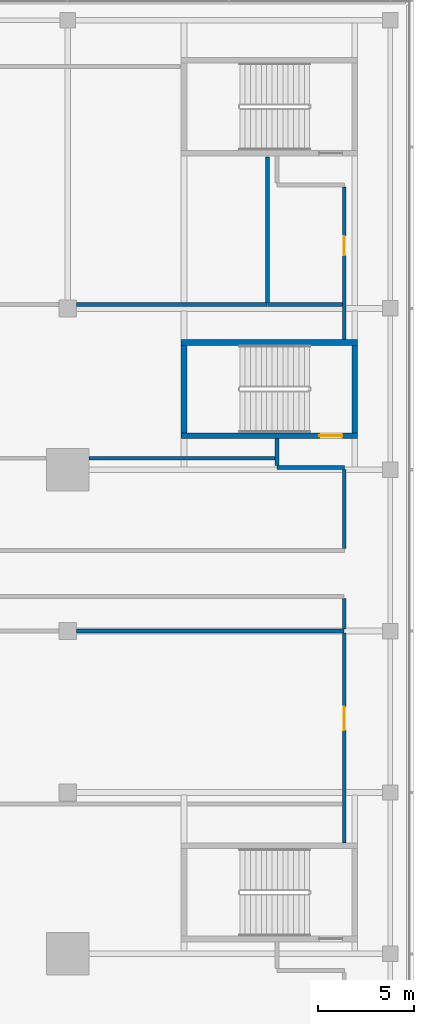
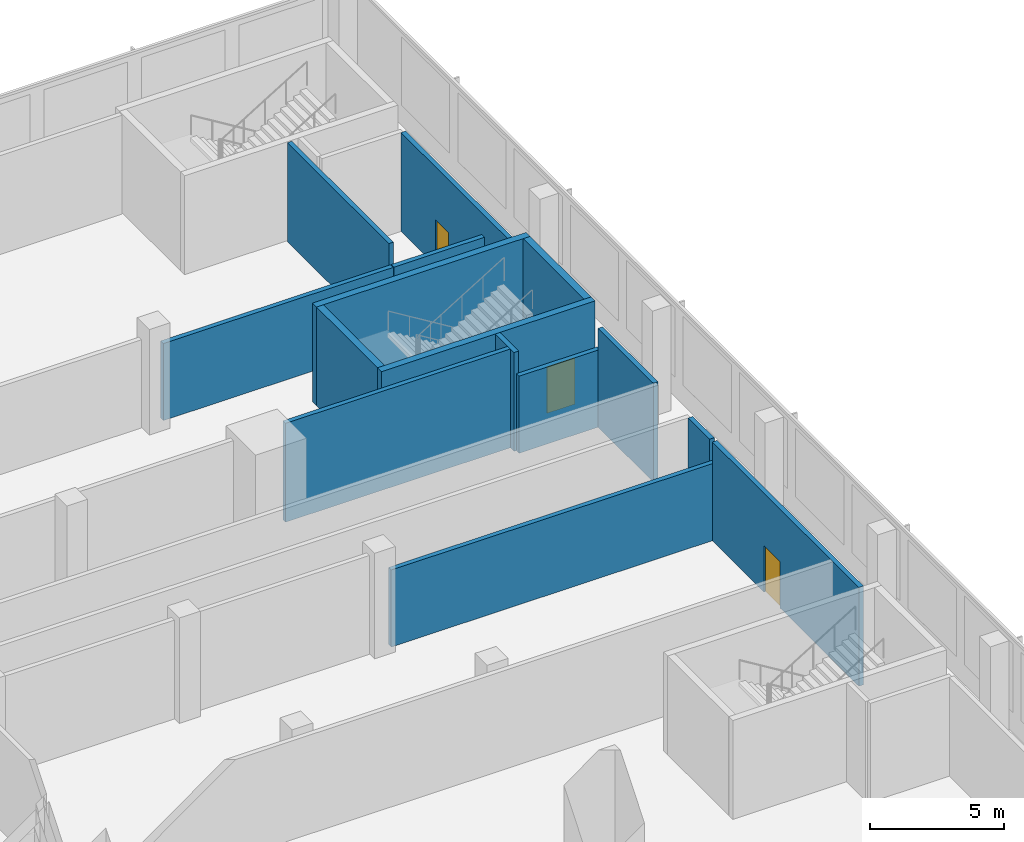
# One storey, part 32 of 39: 15 walls, 3 doors, 3 openings.
"""IFC4 building model written with IfcOpenShell, lengths in metres."""

from ifc_helpers import new_model, si_unit, direction, frame, frame_2d, origin, place, context, subcontext, project, spatial, rectangle, extrude, material, layer, layer_set, type_object, element, fill, save


model = new_model("IFC4")

# Units and contexts
model_context = context("Model", 3, precision=1e-05, world=origin(), true_north=direction((0.0, 1.0)))
body_context = subcontext(model_context, "Body", "Model", "MODEL_VIEW")
ifc_project = project(units=[si_unit("LENGTHUNIT", "METRE"), si_unit("AREAUNIT", "SQUARE_METRE"), si_unit("VOLUMEUNIT", "CUBIC_METRE"), si_unit("PLANEANGLEUNIT", "RADIAN"), si_unit("MASSUNIT", "GRAM", prefix="KILO")], contexts=[model_context])

# Site, building, storey
site_placement = place(None, origin())
site = spatial("IfcSite", under=ifc_project, at=site_placement, CompositionType="ELEMENT")
building_placement = place(site_placement, origin())
building = spatial("IfcBuilding", under=site, at=building_placement, Name="Saffron Gate Tower", CompositionType="ELEMENT")
storey_placement = place(building_placement, frame((0.0, 0.0, 14.39990234375)))
storey = spatial("IfcBuildingStorey", under=building, at=storey_placement, Name="L02", CompositionType="ELEMENT", Elevation=14.39990234375)

# Wall, opening, door
ifc_material_1 = material(Name="Concrete C70", Category="concrete")
ifc_layer_1 = layer(ifc_material_1, 0.300048828125)
ifc_layer_set_1 = layer_set([ifc_layer_1], Name="CW5 RC core wall 300 C70")
wall_type_1 = type_object("IfcWallType", Name="CW5 RC core wall 300 C70", PredefinedType="SOLIDWALL", material=ifc_layer_set_1)
wall_1_placement = place(storey_placement, frame((131.300048828125, 67.175048828125, 0.0), z_axis=(0.0, 0.0, 1.0), x_axis=(1.0, 0.0, 0.0)))
wall_1 = element("IfcWall", 1, at=wall_1_placement, inside=storey, type_object=wall_type_1, Name="Wall CW5-L02-J-1", PredefinedType="SOLIDWALL", context=body_context, shape_type="SweptSolid", body=[
    extrude(rectangle(XDim=9.199951171875, YDim=0.300048828125, at=frame_2d((4.60009765625, 0.0))), origin(), (0.0, 0.0, 1.0), 4.5),
])
opening_1_placement = place(wall_1_placement, frame((7.199951171875, 0.0, 0.0)))
opening_1 = element("IfcOpeningElement", 2, at=opening_1_placement, cuts=wall_1, Name="Opening CR-38", PredefinedType="OPENING", context=body_context, shape_type="SweptSolid", body=[
    extrude(rectangle(XDim=1.199951171875, YDim=2.10009765625, at=frame_2d((0.60009765625, 1.050048828125))), frame((0.0, 0.16015625, 0.0), z_axis=(0.0, -1.0, 0.0), x_axis=(1.0, 0.0, 0.0)), (0.0, 0.0, 1.0), 0.320068359375),
])
ifc_material_2 = material(Name="Steel fire door set", Category="steel")
door_type_1 = type_object("IfcDoorType", Name="CD12 Stair door 1200x2100 EI 120", OperationType="NOTDEFINED", PredefinedType="DOOR", material=ifc_material_2)
door_1_placement = place(opening_1_placement, origin())
door_1 = element("IfcDoor", 3, at=door_1_placement, inside=storey, type_object=door_type_1, Name="DOOR CR-38", OperationType="SINGLE_SWING_RIGHT", OverallHeight=2.10009765625, OverallWidth=1.199951171875, PredefinedType="DOOR", context=body_context, shape_type="SweptSolid", body=[
    extrude(rectangle(XDim=1.199951171875, YDim=2.10009765625, at=frame_2d((0.60009765625, 1.050048828125))), frame((0.0, 0.02490234375, 0.0), z_axis=(0.0, -1.0, 0.0), x_axis=(1.0, 0.0, 0.0)), (0.0, 0.0, 1.0), 0.050048828125),
])
fill(opening_1, door_1)

# Walls
for number, where, z_axis, x_axis, name in (
    (4, (131.449951171875, 67.324951171875, 0.0), (0.0, 0.0, 1.0), (0.0, 1.0, 0.0), "Wall CW5-L02-J-2"),
    (5, (140.35009765625, 67.324951171875, 0.0), (0.0, 0.0, 1.0), (0.0, 1.0, 0.0), "Wall CW5-L02-J-3"),
):
    element("IfcWall", number, at=place(storey_placement, frame(where, z_axis=z_axis, x_axis=x_axis)), inside=storey, type_object=wall_type_1, Name=name, PredefinedType="SOLIDWALL", context=body_context, shape_type="SweptSolid", body=[
        extrude(rectangle(XDim=4.550048828125, YDim=0.300048828125, at=frame_2d((2.27490234375, 0.0))), origin(), (0.0, 0.0, 1.0), 4.5),
    ])
wall_2_placement = place(storey_placement, frame((131.300048828125, 72.02490234375, 0.0), z_axis=(0.0, 0.0, 1.0), x_axis=(1.0, 0.0, 0.0)))
element("IfcWall", 6, at=wall_2_placement, inside=storey, type_object=wall_type_1, Name="Wall CW5-L02-J-4", PredefinedType="SOLIDWALL", context=body_context, shape_type="SweptSolid", body=[
    extrude(rectangle(XDim=9.199951171875, YDim=0.300048828125, at=frame_2d((4.60009765625, 0.0))), origin(), (0.0, 0.0, 1.0), 4.5),
])
ifc_material_3 = material(Name="Clay brick masonry, rendered", Category="masonry")
ifc_layer_2 = layer(ifc_material_3, 0.199951171875)
ifc_layer_set_2 = layer_set([ifc_layer_2], Name="PW3 Corridor wall 200")
wall_type_2 = type_object("IfcWallType", Name="PW3 Corridor wall 200", PredefinedType="PARTITIONING", material=ifc_layer_set_2)
wall_3_placement = place(storey_placement, frame((136.300048828125, 65.52490234375, 0.0), z_axis=(0.0, 0.0, 1.0), x_axis=(1.0, 0.0, 0.0)))
element("IfcWall", 7, at=wall_3_placement, inside=storey, type_object=wall_type_2, Name="Wall P2-24", PredefinedType="PARTITIONING", context=body_context, shape_type="SweptSolid", body=[
    extrude(rectangle(XDim=3.5, YDim=0.199951171875, at=frame_2d((1.75, 0.0))), origin(), (0.0, 0.0, 1.0), 3.510009765625),
])
wall_4_placement = place(storey_placement, frame((136.300048828125, 67.02490234375, 0.0), z_axis=(0.0, 0.0, 1.0), x_axis=(0.0, -1.0, 0.0)))
element("IfcWall", 8, at=wall_4_placement, inside=storey, type_object=wall_type_2, Name="Wall P2-73", PredefinedType="PARTITIONING", context=body_context, shape_type="SweptSolid", body=[
    extrude(rectangle(XDim=1.39990234375, YDim=0.199951171875, at=frame_2d((0.699951171875, 0.0))), origin(), (0.0, 0.0, 1.0), 4.5),
])

# Wall, opening, door
wall_5_placement = place(storey_placement, frame((139.800048828125, 45.97509765625, 0.0), z_axis=(0.0, 0.0, 1.0), x_axis=(0.0, 1.0, 0.0)))
wall_5 = element("IfcWall", 9, at=wall_5_placement, inside=storey, type_object=wall_type_2, Name="Wall P2-76", PredefinedType="PARTITIONING", context=body_context, shape_type="SweptSolid", body=[
    extrude(rectangle(XDim=10.9248046875, YDim=0.199951171875, at=frame_2d((5.46240234375, 0.0))), origin(), (0.0, 0.0, 1.0), 4.5),
])
opening_2_placement = place(wall_5_placement, frame((5.875, 0.0, 0.0)))
opening_2 = element("IfcOpeningElement", 10, at=opening_2_placement, cuts=wall_5, Name="Opening P2-10", PredefinedType="OPENING", context=body_context, shape_type="SweptSolid", body=[
    extrude(rectangle(XDim=1.199951171875, YDim=2.10009765625, at=frame_2d((0.60009765625, 1.050048828125))), frame((0.0, 0.10986328125, 0.0), z_axis=(0.0, -1.0, 0.0), x_axis=(1.0, 0.0, 0.0)), (0.0, 0.0, 1.0), 0.219970703125),
])
ifc_material_4 = material(Name="Timber door set", Category="wood")
door_type_2 = type_object("IfcDoorType", Name="HD1 Hall door 1200x2100", OperationType="NOTDEFINED", PredefinedType="DOOR", material=ifc_material_4)
door_2_placement = place(opening_2_placement, origin())
door_2 = element("IfcDoor", 11, at=door_2_placement, inside=storey, type_object=door_type_2, Name="Door P2-10", OperationType="SINGLE_SWING_LEFT", OverallHeight=2.10009765625, OverallWidth=1.199951171875, PredefinedType="DOOR", context=body_context, shape_type="SweptSolid", body=[
    extrude(rectangle(XDim=1.199951171875, YDim=2.10009765625, at=frame_2d((0.60009765625, 1.050048828125))), frame((0.0, 0.02490234375, 0.0), z_axis=(0.0, -1.0, 0.0), x_axis=(1.0, 0.0, 0.0)), (0.0, 0.0, 1.0), 0.050048828125),
])
fill(opening_2, door_2)

# Wall
wall_6_placement = place(storey_placement, frame((139.800048828125, 65.425048828125, 0.0), z_axis=(0.0, 0.0, 1.0), x_axis=(0.0, -1.0, 0.0)))
element("IfcWall", 12, at=wall_6_placement, inside=storey, type_object=wall_type_2, Name="Wall P2-77", PredefinedType="PARTITIONING", context=body_context, shape_type="SweptSolid", body=[
    extrude(rectangle(XDim=4.125, YDim=0.199951171875, at=frame_2d((2.0625, 0.0))), origin(), (0.0, 0.0, 1.0), 4.5),
])

# Wall, opening, door
wall_7_placement = place(storey_placement, frame((139.800048828125, 72.175048828125, 0.0), z_axis=(0.0, 0.0, 1.0), x_axis=(0.0, 1.0, 0.0)))
wall_7 = element("IfcWall", 13, at=wall_7_placement, inside=storey, type_object=wall_type_2, Name="Wall P2-78", PredefinedType="PARTITIONING", context=body_context, shape_type="SweptSolid", body=[
    extrude(rectangle(XDim=7.949951171875, YDim=0.199951171875, at=frame_2d((3.97509765625, 0.0))), origin(), (0.0, 0.0, 1.0), 4.5),
])
opening_3_placement = place(wall_7_placement, frame((4.387451171875, 0.0, 0.0)))
opening_3 = element("IfcOpeningElement", 14, at=opening_3_placement, cuts=wall_7, Name="Opening P2-1", PredefinedType="OPENING", context=body_context, shape_type="SweptSolid", body=[
    extrude(rectangle(XDim=1.0, YDim=2.10009765625, at=frame_2d((0.5, 1.050048828125))), frame((0.0, 0.10986328125, 0.0), z_axis=(0.0, -1.0, 0.0), x_axis=(1.0, 0.0, 0.0)), (0.0, 0.0, 1.0), 0.219970703125),
])
door_type_3 = type_object("IfcDoorType", Name="RD1 Room door 900x2100", OperationType="NOTDEFINED", PredefinedType="DOOR", material=ifc_material_4)
door_3_placement = place(opening_3_placement, origin())
door_3 = element("IfcDoor", 15, at=door_3_placement, inside=storey, type_object=door_type_3, Name="Door P2-1", OperationType="SINGLE_SWING_LEFT", OverallHeight=2.10009765625, OverallWidth=1.0, PredefinedType="DOOR", context=body_context, shape_type="SweptSolid", body=[
    extrude(rectangle(XDim=1.0, YDim=2.10009765625, at=frame_2d((0.5, 1.050048828125))), frame((0.0, 0.02490234375, 0.0), z_axis=(0.0, -1.0, 0.0), x_axis=(1.0, 0.0, 0.0)), (0.0, 0.0, 1.0), 0.050048828125),
])
fill(opening_3, door_3)

# Walls
ifc_layer_3 = layer(ifc_material_3, 0.199951171875)
ifc_layer_set_3 = layer_set([ifc_layer_3], Name="PW5 Room wall 200")
wall_type_3 = type_object("IfcWallType", Name="PW5 Room wall 200", PredefinedType="PARTITIONING", material=ifc_layer_set_3)
wall_8_placement = place(storey_placement, frame((125.8701171875, 57.0, 0.0), z_axis=(0.0, 0.0, 1.0), x_axis=(1.0, 0.0, 0.0)))
element("IfcWall", 16, at=wall_8_placement, inside=storey, type_object=wall_type_3, Name="Wall P2-18", PredefinedType="PARTITIONING", context=body_context, shape_type="SweptSolid", body=[
    extrude(rectangle(XDim=13.909912109375, YDim=0.199951171875, at=frame_2d((6.955078125, 0.0))), origin(), (0.0, 0.0, 1.0), 3.510009765625),
])
wall_9_placement = place(storey_placement, frame((126.52001953125, 66.0, 0.0), z_axis=(0.0, 0.0, 1.0), x_axis=(1.0, 0.0, 0.0)))
element("IfcWall", 17, at=wall_9_placement, inside=storey, type_object=wall_type_3, Name="Wall P2-26", PredefinedType="PARTITIONING", context=body_context, shape_type="SweptSolid", body=[
    extrude(rectangle(XDim=9.679931640625, YDim=0.199951171875, at=frame_2d((4.83984375, 0.0))), origin(), (0.0, 0.0, 1.0), 4.5),
])
wall_10_placement = place(storey_placement, frame((125.8701171875, 74.0, 0.0), z_axis=(0.0, 0.0, 1.0), x_axis=(1.0, 0.0, 0.0)))
element("IfcWall", 18, at=wall_10_placement, inside=storey, type_object=wall_type_3, Name="Wall P2-30", PredefinedType="PARTITIONING", context=body_context, shape_type="SweptSolid", body=[
    extrude(rectangle(XDim=9.909912109375, YDim=0.199951171875, at=frame_2d((4.955078125, 0.0))), origin(), (0.0, 0.0, 1.0), 3.510009765625),
])
wall_11_placement = place(storey_placement, frame((135.800048828125, 74.0, 0.0), z_axis=(0.0, 0.0, 1.0), x_axis=(1.0, 0.0, 0.0)))
element("IfcWall", 19, at=wall_11_placement, inside=storey, type_object=wall_type_3, Name="Wall P2-31", PredefinedType="PARTITIONING", context=body_context, shape_type="SweptSolid", body=[
    extrude(rectangle(XDim=3.89990234375, YDim=0.199951171875, at=frame_2d((1.949951171875, 0.0))), origin(), (0.0, 0.0, 1.0), 3.510009765625),
])
wall_12_placement = place(storey_placement, frame((135.800048828125, 81.675048828125, 0.0), z_axis=(0.0, 0.0, 1.0), x_axis=(0.0, -1.0, 0.0)))
element("IfcWall", 20, at=wall_12_placement, inside=storey, type_object=wall_type_3, Name="Wall P2-71", PredefinedType="PARTITIONING", context=body_context, shape_type="SweptSolid", body=[
    extrude(rectangle(XDim=7.574951171875, YDim=0.199951171875, at=frame_2d((3.78759765625, 0.0))), origin(), (0.0, 0.0, 1.0), 4.5),
])
wall_13_placement = place(storey_placement, frame((139.800048828125, 58.699951171875, 0.0), z_axis=(0.0, 0.0, 1.0), x_axis=(0.0, -1.0, 0.0)))
element("IfcWall", 21, at=wall_13_placement, inside=storey, type_object=wall_type_3, Name="Wall P2-79", PredefinedType="PARTITIONING", context=body_context, shape_type="SweptSolid", body=[
    extrude(rectangle(XDim=1.599853515625, YDim=0.199951171875, at=frame_2d((0.7998046875, 0.0))), origin(), (0.0, 0.0, 1.0), 4.5),
])

save(model, "model.ifc")
